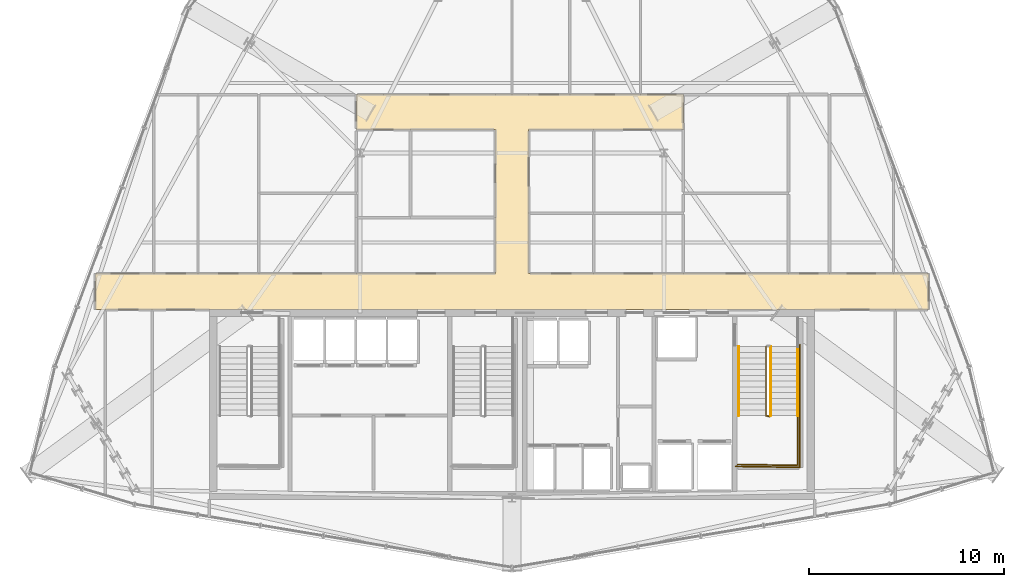
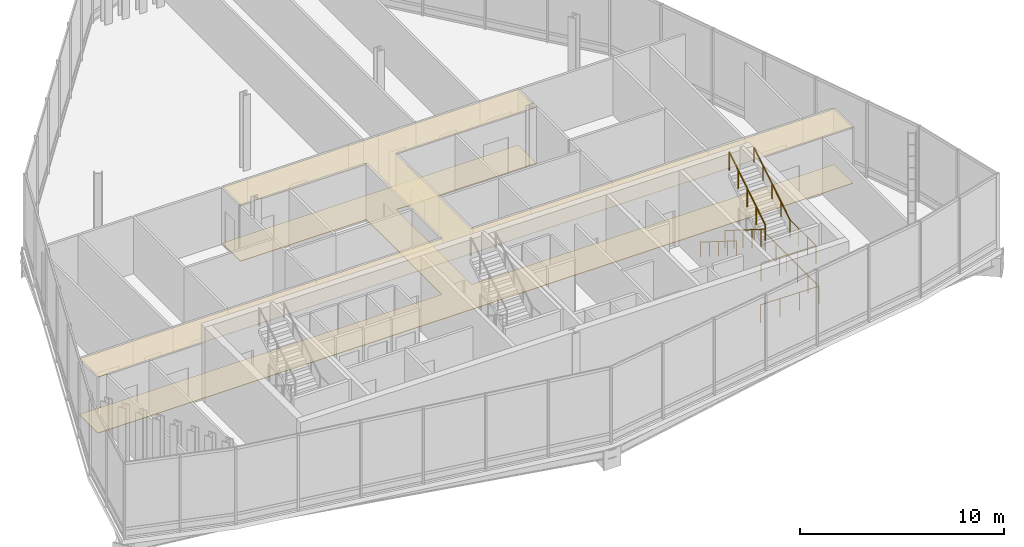
# One storey, part 28 of 29: 6 railings, 2 coverings.
"""IFC4 building model written with IfcOpenShell, lengths in metres."""

import ifcopenshell
import ifcopenshell.guid

model = None  # the IFC model being written
_history = None  # IfcOwnerHistory: only IFC2X3 demands one
_inside = {}  # id of a spatial element -> (the spatial element, [elements in it])
_under = {}  # id of a project, library or spatial element -> (it, [spatial elements below it])
_declared = {}  # id of a project -> (the project, [libraries it declares])
_typed = {}  # id of a type object -> (the type object, [elements of that type])
_made_of = {}  # id of a material, layer set ... -> (it, [elements and type objects made of it])


def new_model(schema):
    """Start an empty IFC model of exactly this schema.

    Asked for "IFC4X3", IfcOpenShell would pick the latest addendum, in which some entities
    have other attributes; the version numbers below select the first issue.
    IFC2X3 requires an IfcOwnerHistory on every rooted entity: one is made here for all.
    """
    global model, _history
    if schema == "IFC4X3":
        model = ifcopenshell.file(schema_version=(4, 3, 0, 0))
    else:
        model = ifcopenshell.file(schema=schema)
    _inside.clear()
    _under.clear()
    _declared.clear()
    _typed.clear()
    _made_of.clear()
    _history = None
    if model.schema == "IFC2X3":
        org = make("IfcOrganization", Name="unknown")
        user = make(
            "IfcPersonAndOrganization",
            ThePerson=make("IfcPerson", FamilyName="unknown"),
            TheOrganization=org,
        )
        app = make(
            "IfcApplication",
            ApplicationDeveloper=org,
            Version="unknown",
            ApplicationFullName="unknown",
            ApplicationIdentifier="unknown",
        )
        _history = make(
            "IfcOwnerHistory",
            OwningUser=user,
            OwningApplication=app,
            ChangeAction="ADDED",
            CreationDate=0,
        )
    return model


def make(cls, **values):
    """One entity of the class cls with the attributes given. An attribute that is None is left unset."""
    return model.create_entity(
        cls, **{name: value for name, value in values.items() if value is not None}
    )


def rooted(cls, **values):
    """An entity with a GlobalId (a new one), such as an element, a storey or a relation."""
    return make(cls, GlobalId=ifcopenshell.guid.new(), OwnerHistory=_history, **values)


def si_unit(unit_type, name, prefix=None):
    """IfcSIUnit, for example si_unit("LENGTHUNIT", "METRE", prefix="MILLI")."""
    return make("IfcSIUnit", UnitType=unit_type, Prefix=prefix, Name=name)


def assignment(units):
    """IfcUnitAssignment: the units of a project."""
    return None if units is None else make("IfcUnitAssignment", Units=units)


def point(xyz):
    """IfcCartesianPoint."""
    return None if xyz is None else make("IfcCartesianPoint", Coordinates=xyz)


def direction(xyz):
    """IfcDirection."""
    return None if xyz is None else make("IfcDirection", DirectionRatios=xyz)


def frame(location, z_axis=None, x_axis=None):
    """IfcAxis2Placement3D, a coordinate frame: its origin and axes. An axis left out is left unset."""
    return make(
        "IfcAxis2Placement3D",
        Location=point(location),
        Axis=direction(z_axis),
        RefDirection=direction(x_axis),
    )


def frame_2d(location, x_axis=None):
    """IfcAxis2Placement2D, a coordinate frame in the plane: its origin and x axis."""
    return make(
        "IfcAxis2Placement2D", Location=point(location), RefDirection=direction(x_axis)
    )


def origin():
    """The frame at (0, 0, 0) with its axes left unset."""
    return frame((0.0, 0.0, 0.0))


def origin_2d():
    """The frame at (0, 0) in the plane with its x axis left unset."""
    return frame_2d((0.0, 0.0))


def place(relative_to, where):
    """IfcLocalPlacement: puts the frame where relative to a parent placement (None: the world)."""
    return make(
        "IfcLocalPlacement", PlacementRelTo=relative_to, RelativePlacement=where
    )


def context(
    kind, dimensions, precision=None, world=None, true_north=None, identifier=None
):
    """IfcGeometricRepresentationContext, for example the 3D "Model" context."""
    return make(
        "IfcGeometricRepresentationContext",
        ContextIdentifier=identifier,
        ContextType=kind,
        CoordinateSpaceDimension=dimensions,
        Precision=precision,
        WorldCoordinateSystem=world,
        TrueNorth=true_north,
    )


def subcontext(parent, identifier, kind, view, scale=None):
    """IfcGeometricRepresentationSubContext, for example "Body" below "Model"."""
    return make(
        "IfcGeometricRepresentationSubContext",
        ContextIdentifier=identifier,
        ContextType=kind,
        ParentContext=parent,
        TargetScale=scale,
        TargetView=view,
    )


def project(units=None, contexts=None):
    """IfcProject with its units and contexts."""
    return rooted(
        "IfcProject",
        Name="project",
        RepresentationContexts=contexts,
        UnitsInContext=assignment(units),
    )


def spatial(cls, under=None, at=None, **own):
    """A site, building, storey or space (cls), placed at a placement, below another one or the project."""
    s = rooted(cls, ObjectPlacement=at, **own)
    if under is not None:
        _under.setdefault(under.id(), (under, []))[1].append(s)
    return s


def polyline(points):
    """IfcPolyline through the points."""
    return make("IfcPolyline", Points=[point(p) for p in points])


def profile(cls, at=None, kind="AREA", **sizes):
    """A parametric profile (cls). Its sizes go by their IFC names, for example OverallWidth=200.0."""
    return make(cls, ProfileType=kind, Position=at, **sizes)


def circle(**sizes):
    """IfcCircleProfileDef."""
    return profile("IfcCircleProfileDef", **sizes)


def outline(outer, holes=None, kind="AREA"):
    """IfcArbitraryClosedProfileDef: a profile drawn as a closed curve; with holes, ...WithVoids."""
    if holes is None:
        return make("IfcArbitraryClosedProfileDef", ProfileType=kind, OuterCurve=outer)
    return make(
        "IfcArbitraryProfileDefWithVoids",
        ProfileType=kind,
        OuterCurve=outer,
        InnerCurves=holes,
    )


def extrude(swept, where, along, depth):
    """IfcExtrudedAreaSolid: the profile swept, set in the frame where, extruded along a direction by depth."""
    return make(
        "IfcExtrudedAreaSolid",
        SweptArea=swept,
        Position=where,
        ExtrudedDirection=direction(along),
        Depth=depth,
    )


def shape(context_of_items, identifier, shape_type, items):
    """IfcShapeRepresentation: the items that make up one representation, for example the "Body"."""
    return make(
        "IfcShapeRepresentation",
        ContextOfItems=context_of_items,
        RepresentationIdentifier=identifier,
        RepresentationType=shape_type,
        Items=items,
    )


def material(Name=None, Category=None):
    """IfcMaterial."""
    return make("IfcMaterial", Name=Name, Category=Category)


def layer(
    of_material, thickness, ventilated=None, Name=None, Category=None, Priority=None
):
    """IfcMaterialLayer: one layer of a wall or slab, of a material (None: an air gap)."""
    return make(
        "IfcMaterialLayer",
        Material=of_material,
        LayerThickness=thickness,
        IsVentilated=ventilated,
        Name=Name,
        Category=Category,
        Priority=Priority,
    )


def layer_set(layers, Name=None):
    """IfcMaterialLayerSet."""
    return make("IfcMaterialLayerSet", MaterialLayers=layers, LayerSetName=Name)


def made_of(thing, what):
    """Note that an element or type object is made of a material, layer set ...; save() writes the relation."""
    if what is not None:
        _made_of.setdefault(what.id(), (what, []))[1].append(thing)
    return thing


def type_object(cls, material=None, **own):
    """A type object (cls), such as IfcWallType, which elements share."""
    return made_of(rooted(cls, **own), material)


def element(
    cls,
    number,
    at=None,
    inside=None,
    cuts=None,
    type_object=None,
    material=None,
    context=None,
    identifier="Body",
    shape_type=None,
    held_by="IfcProductDefinitionShape",
    body=None,
    shapes=None,
    **own,
):
    """One element of the class cls, such as IfcWall. Its Tag is "e" and its number.

    at: its placement. inside: the storey or other place that contains it. cuts: it is an
    opening in that element (IfcRelVoidsElement). A single representation is given by context,
    identifier, shape_type and body (its items); several are given by shapes. held_by: the class
    of the entity that holds the representations. save() writes the other relations.
    """
    e = rooted(cls, Tag="e%d" % number, ObjectPlacement=at, **own)
    if body is not None:
        shapes = [shape(context, identifier, shape_type, body)]
    if shapes is not None:
        e.Representation = make(held_by, Representations=shapes)
    if inside is not None:
        _inside.setdefault(inside.id(), (inside, []))[1].append(e)
    if cuts is not None:
        rooted(
            "IfcRelVoidsElement", RelatingBuildingElement=cuts, RelatedOpeningElement=e
        )
    if type_object is not None:
        _typed.setdefault(type_object.id(), (type_object, []))[1].append(e)
    return made_of(e, material)


def aggregate(whole, parts):
    """IfcRelAggregates: a whole, such as a stair, and the parts it consists of."""
    return rooted("IfcRelAggregates", RelatingObject=whole, RelatedObjects=parts)


def save(model, path):
    """Write the relations noted so far, then the file.

    IfcRelAggregates (storeys below a building ...), IfcRelContainedInSpatialStructure (elements
    in a storey), IfcRelDefinesByType, IfcRelAssociatesMaterial and IfcRelDeclares: one each for
    every whole, place, type object, material and project.
    """
    for whole, parts in _under.values():
        aggregate(whole, parts)
    for where, things in _inside.values():
        rooted(
            "IfcRelContainedInSpatialStructure",
            RelatedElements=things,
            RelatingStructure=where,
        )
    for kind, things in _typed.values():
        rooted("IfcRelDefinesByType", RelatedObjects=things, RelatingType=kind)
    for what, things in _made_of.values():
        rooted("IfcRelAssociatesMaterial", RelatedObjects=things, RelatingMaterial=what)
    for by, libraries in _declared.values():
        rooted("IfcRelDeclares", RelatingContext=by, RelatedDefinitions=libraries)
    model.write(path)


model = new_model("IFC4")

# Units and contexts
model_context = context("Model", 3, precision=1e-05, world=origin(), true_north=direction((0.0, 1.0)))
body_context = subcontext(model_context, "Body", "Model", "MODEL_VIEW")
ifc_project = project(units=[si_unit("LENGTHUNIT", "METRE"), si_unit("AREAUNIT", "SQUARE_METRE"), si_unit("VOLUMEUNIT", "CUBIC_METRE"), si_unit("PLANEANGLEUNIT", "RADIAN"), si_unit("MASSUNIT", "GRAM", prefix="KILO")], contexts=[model_context])

# Site, building, storey
site_placement = place(None, origin())
site = spatial("IfcSite", under=ifc_project, at=site_placement, CompositionType="ELEMENT")
building_placement = place(site_placement, origin())
building = spatial("IfcBuilding", under=site, at=building_placement, Name="Ndaravel Arena Tower", CompositionType="ELEMENT")
storey_placement = place(building_placement, frame((0.0, 0.0, 208.39990234375)))
storey = spatial("IfcBuildingStorey", under=building, at=storey_placement, Name="L50", CompositionType="ELEMENT", Elevation=208.39990234375)

# Coverings
ifc_material_1 = material(Name="Acoustic Ceiling Tile", Category="finish")
ifc_layer_1 = layer(ifc_material_1, 0.02490234375)
ifc_layer_set_1 = layer_set([ifc_layer_1], Name="Acoustic Ceiling Tile")
covering_type_1 = type_object("IfcCoveringType", Name="COV-CEIL-AC600", PredefinedType="CEILING", material=ifc_layer_set_1)
covering_1_placement = place(storey_placement, frame((0.0, 0.0, 3.360107421875)))
element("IfcCovering", 1, at=covering_1_placement, inside=storey, type_object=covering_type_1, Name="L50 Corridor Acoustic Ceiling", PredefinedType="CEILING", context=body_context, shape_type="SweptSolid", body=[
    extrude(outline(polyline([(63.406982421875, 17.0), (42.85009765625, 17.0), (42.85009765625, 24.39990234375), (50.800048828125, 24.39990234375), (50.800048828125, 26.199951171875), (42.85009765625, 26.199951171875), (41.14990234375, 26.199951171875), (34.0, 26.199951171875), (34.0, 24.39990234375), (41.14990234375, 24.39990234375), (41.14990234375, 17.0), (20.593017578125, 17.0), (20.593017578125, 15.14990234375), (63.406982421875, 15.14990234375), (63.406982421875, 17.0)])), origin(), (0.0, 0.0, 1.0), 0.02490234375),
])
ifc_material_2 = material(Name="Terrazzo", Category="stone")
ifc_layer_2 = layer(ifc_material_2, 0.030029296875)
ifc_layer_set_2 = layer_set([ifc_layer_2], Name="Terrazzo")
covering_type_2 = type_object("IfcCoveringType", Name="COV-FLOOR-TERRAZZO", PredefinedType="FLOORING", material=ifc_layer_set_2)
covering_2_placement = place(storey_placement, origin())
element("IfcCovering", 2, at=covering_2_placement, inside=storey, type_object=covering_type_2, Name="L50 Corridor Terrazzo Flooring", PredefinedType="FLOORING", context=body_context, shape_type="SweptSolid", body=[
    extrude(outline(polyline([(63.406982421875, 17.0), (42.85009765625, 17.0), (42.85009765625, 24.39990234375), (50.800048828125, 24.39990234375), (50.800048828125, 26.199951171875), (42.85009765625, 26.199951171875), (41.14990234375, 26.199951171875), (34.0, 26.199951171875), (34.0, 24.39990234375), (41.14990234375, 24.39990234375), (41.14990234375, 17.0), (20.593017578125, 17.0), (20.593017578125, 15.14990234375), (63.406982421875, 15.14990234375), (63.406982421875, 17.0)])), origin(), (0.0, 0.0, 1.0), 0.030029296875),
])

# Railings
ifc_material_3 = material(Name="Steel S355", Category="steel")
ifc_layer_3 = layer(ifc_material_3, 0.06005859375)
ifc_layer_set_3 = layer_set([ifc_layer_3], Name="Steel S355")
railing_type_1 = type_object("IfcRailingType", Name="RAIL-STAIR-GD1100", PredefinedType="GUARDRAIL", material=ifc_layer_set_3)
railing_1_placement = place(storey_placement, frame((55.050048828125, 13.25, 0.184814453125)))
element("IfcRailing", 3, at=railing_1_placement, inside=storey, type_object=railing_type_1, Name="L50 ST-3 stair guard 1", PredefinedType="GUARDRAIL", context=body_context, shape_type="SweptSolid", body=[
    extrude(circle(Radius=0.02392578125, at=origin_2d()), frame((0.0, 0.0, 1.076171875), z_axis=(0.0, -0.847696004112, 0.530482313194), x_axis=(1.0, 0.0, 0.0)), (0.0, 0.0, 1.0), 4.176025390625),
    extrude(circle(Radius=0.02392578125, at=origin_2d()), frame((0.0, -3.5400390625, 3.29150390625), z_axis=(0.966993988697, -0.254799187253, 0.0), x_axis=(0.254799187253, 0.966993988697, 0.0)), (0.0, 0.0, 1.0), 0.196533203125),
    extrude(circle(Radius=0.02099609375, at=origin_2d()), origin(), (0.0, 0.0, 1.0), 1.052001953125),
    extrude(circle(Radius=0.02099609375, at=origin_2d()), frame((0.0, -0.885009765625, 0.5537109375)), (0.0, 0.0, 1.0), 1.052001953125),
    extrude(circle(Radius=0.02099609375, at=origin_2d()), frame((0.0, -1.77001953125, 1.107666015625)), (0.0, 0.0, 1.0), 1.052001953125),
    extrude(circle(Radius=0.02099609375, at=origin_2d()), frame((0.0, -2.655029296875, 1.66162109375)), (0.0, 0.0, 1.0), 1.052001953125),
    extrude(circle(Radius=0.02099609375, at=origin_2d()), frame((0.0, -3.5400390625, 2.21533203125)), (0.0, 0.0, 1.0), 1.052001953125),
    extrude(circle(Radius=0.02099609375, at=origin_2d()), frame((0.18994140625, -3.590087890625, 2.21533203125)), (0.0, 0.0, 1.0), 1.052001953125),
])
railing_2_placement = place(storey_placement, frame((56.68994140625, 9.7099609375, 2.400146484375)))
element("IfcRailing", 4, at=railing_2_placement, inside=storey, type_object=railing_type_1, Name="L50 ST-3 stair guard 2", PredefinedType="GUARDRAIL", context=body_context, shape_type="SweptSolid", body=[
    extrude(circle(Radius=0.02392578125, at=origin_2d()), frame((0.0, 0.0, 1.076171875), z_axis=(0.0, -1.0, 0.0), x_axis=(1.0, 0.0, 0.0)), (0.0, 0.0, 1.0), 2.56005859375),
    extrude(circle(Radius=0.02392578125, at=origin_2d()), frame((0.0, -2.56005859375, 1.076171875), z_axis=(-0.999868840623, 0.016195726322, 0.0), x_axis=(-0.016195726322, -0.999868840623, 0.0)), (0.0, 0.0, 1.0), 3.09033203125),
    extrude(circle(Radius=0.02099609375, at=origin_2d()), origin(), (0.0, 0.0, 1.0), 1.052001953125),
    extrude(circle(Radius=0.02099609375, at=origin_2d()), frame((0.0, -0.853271484375, 0.0)), (0.0, 0.0, 1.0), 1.052001953125),
    extrude(circle(Radius=0.02099609375, at=origin_2d()), frame((0.0, -1.706787109375, 0.0)), (0.0, 0.0, 1.0), 1.052001953125),
    extrude(circle(Radius=0.02099609375, at=origin_2d()), frame((0.0, -2.56005859375, 0.0)), (0.0, 0.0, 1.0), 1.052001953125),
    extrude(circle(Radius=0.02099609375, at=origin_2d()), frame((-1.030029296875, -2.54345703125, 0.0)), (0.0, 0.0, 1.0), 1.052001953125),
    extrude(circle(Radius=0.02099609375, at=origin_2d()), frame((-2.059814453125, -2.526611328125, 0.0)), (0.0, 0.0, 1.0), 1.052001953125),
    extrude(circle(Radius=0.02099609375, at=origin_2d()), frame((-3.08984375, -2.510009765625, 0.0)), (0.0, 0.0, 1.0), 1.052001953125),
])
railing_3_placement = place(storey_placement, frame((55.2900390625, 9.7099609375, 2.584716796875)))
element("IfcRailing", 5, at=railing_3_placement, inside=storey, type_object=railing_type_1, Name="L50 ST-3 stair guard 3", PredefinedType="GUARDRAIL", context=body_context, shape_type="SweptSolid", body=[
    extrude(circle(Radius=0.02392578125, at=origin_2d()), frame((0.0, 0.0, 1.076171875), z_axis=(0.0, 0.847696004112, 0.530482313194), x_axis=(-1.0, 0.0, 0.0)), (0.0, 0.0, 1.0), 4.176025390625),
    extrude(circle(Radius=0.02099609375, at=origin_2d()), origin(), (0.0, 0.0, 1.0), 1.052001953125),
    extrude(circle(Radius=0.02099609375, at=origin_2d()), frame((0.0, 0.885009765625, 0.5537109375)), (0.0, 0.0, 1.0), 1.052001953125),
    extrude(circle(Radius=0.02099609375, at=origin_2d()), frame((0.0, 1.77001953125, 1.107666015625)), (0.0, 0.0, 1.0), 1.052001953125),
    extrude(circle(Radius=0.02099609375, at=origin_2d()), frame((0.0, 2.655029296875, 1.66162109375)), (0.0, 0.0, 1.0), 1.052001953125),
    extrude(circle(Radius=0.02099609375, at=origin_2d()), frame((0.0, 3.5400390625, 2.21533203125)), (0.0, 0.0, 1.0), 1.052001953125),
])
railing_4_placement = place(storey_placement, frame((56.7900390625, 13.35009765625, 0.0)))
element("IfcRailing", 6, at=railing_4_placement, inside=storey, type_object=railing_type_1, Name="L50 ST-3 stair guard 6", PredefinedType="GUARDRAIL", context=body_context, shape_type="SweptSolid", body=[
    extrude(circle(Radius=0.02392578125, at=origin_2d()), frame((0.0, 0.0, 1.076171875), z_axis=(0.0, -1.0, 0.0), x_axis=(1.0, 0.0, 0.0)), (0.0, 0.0, 1.0), 6.300048828125),
    extrude(circle(Radius=0.02392578125, at=origin_2d()), frame((0.0, -6.300048828125, 1.076171875), z_axis=(-0.99988431412, 0.015210469308, 0.0), x_axis=(-0.015210469308, -0.99988431412, 0.0)), (0.0, 0.0, 1.0), 3.29052734375),
    extrude(circle(Radius=0.02099609375, at=origin_2d()), origin(), (0.0, 0.0, 1.0), 1.052001953125),
    extrude(circle(Radius=0.02099609375, at=origin_2d()), frame((0.0, -1.050048828125, 0.0)), (0.0, 0.0, 1.0), 1.052001953125),
    extrude(circle(Radius=0.02099609375, at=origin_2d()), frame((0.0, -2.10009765625, 0.0)), (0.0, 0.0, 1.0), 1.052001953125),
    extrude(circle(Radius=0.02099609375, at=origin_2d()), frame((0.0, -3.14990234375, 0.0)), (0.0, 0.0, 1.0), 1.052001953125),
    extrude(circle(Radius=0.02099609375, at=origin_2d()), frame((0.0, -4.199951171875, 0.0)), (0.0, 0.0, 1.0), 1.052001953125),
    extrude(circle(Radius=0.02099609375, at=origin_2d()), frame((0.0, -5.25, 0.0)), (0.0, 0.0, 1.0), 1.052001953125),
    extrude(circle(Radius=0.02099609375, at=origin_2d()), frame((0.0, -6.300048828125, 0.0)), (0.0, 0.0, 1.0), 1.052001953125),
    extrude(circle(Radius=0.02099609375, at=origin_2d()), frame((-1.0966796875, -6.283447265625, 0.0)), (0.0, 0.0, 1.0), 1.052001953125),
    extrude(circle(Radius=0.02099609375, at=origin_2d()), frame((-2.193359375, -6.2666015625, 0.0)), (0.0, 0.0, 1.0), 1.052001953125),
    extrude(circle(Radius=0.02099609375, at=origin_2d()), frame((-3.2900390625, -6.25, 0.0)), (0.0, 0.0, 1.0), 1.052001953125),
])
ifc_material_4 = material(Name="Steel S355", Category="steel")
ifc_layer_4 = layer(ifc_material_4, 0.050048828125)
ifc_layer_set_4 = layer_set([ifc_layer_4], Name="Steel S355")
railing_type_2 = type_object("IfcRailingType", Name="RAIL-STAIR-HR920", PredefinedType="HANDRAIL", material=ifc_layer_set_4)
railing_5_placement = place(storey_placement, frame((53.64990234375, 13.25, 0.184814453125)))
element("IfcRailing", 7, at=railing_5_placement, inside=storey, type_object=railing_type_2, Name="L50 ST-3 stair handrail 1", PredefinedType="HANDRAIL", context=body_context, shape_type="SweptSolid", body=[
    extrude(circle(Radius=0.02392578125, at=origin_2d()), frame((0.0, 0.0, 0.8759765625), z_axis=(0.0, -0.847696004112, 0.530482313194), x_axis=(1.0, 0.0, 0.0)), (0.0, 0.0, 1.0), 4.176025390625),
    extrude(circle(Radius=0.02099609375, at=origin_2d()), origin(), (0.0, 0.0, 1.0), 0.851806640625),
    extrude(circle(Radius=0.02099609375, at=origin_2d()), frame((0.0, -0.885009765625, 0.5537109375)), (0.0, 0.0, 1.0), 0.851806640625),
    extrude(circle(Radius=0.02099609375, at=origin_2d()), frame((0.0, -1.77001953125, 1.107666015625)), (0.0, 0.0, 1.0), 0.851806640625),
    extrude(circle(Radius=0.02099609375, at=origin_2d()), frame((0.0, -2.655029296875, 1.66162109375)), (0.0, 0.0, 1.0), 0.851806640625),
    extrude(circle(Radius=0.02099609375, at=origin_2d()), frame((0.0, -3.5400390625, 2.21533203125)), (0.0, 0.0, 1.0), 0.851806640625),
])
railing_6_placement = place(storey_placement, frame((56.68994140625, 9.7099609375, 2.584716796875)))
element("IfcRailing", 8, at=railing_6_placement, inside=storey, type_object=railing_type_2, Name="L50 ST-3 stair handrail 2", PredefinedType="HANDRAIL", context=body_context, shape_type="SweptSolid", body=[
    extrude(circle(Radius=0.02392578125, at=origin_2d()), frame((0.0, 0.0, 0.8759765625), z_axis=(0.0, 0.847696004112, 0.530482313194), x_axis=(-1.0, 0.0, 0.0)), (0.0, 0.0, 1.0), 4.176025390625),
    extrude(circle(Radius=0.02099609375, at=origin_2d()), origin(), (0.0, 0.0, 1.0), 0.851806640625),
    extrude(circle(Radius=0.02099609375, at=origin_2d()), frame((0.0, 0.885009765625, 0.5537109375)), (0.0, 0.0, 1.0), 0.851806640625),
    extrude(circle(Radius=0.02099609375, at=origin_2d()), frame((0.0, 1.77001953125, 1.107666015625)), (0.0, 0.0, 1.0), 0.851806640625),
    extrude(circle(Radius=0.02099609375, at=origin_2d()), frame((0.0, 2.655029296875, 1.66162109375)), (0.0, 0.0, 1.0), 0.851806640625),
    extrude(circle(Radius=0.02099609375, at=origin_2d()), frame((0.0, 3.5400390625, 2.21533203125)), (0.0, 0.0, 1.0), 0.851806640625),
])

save(model, "model.ifc")
